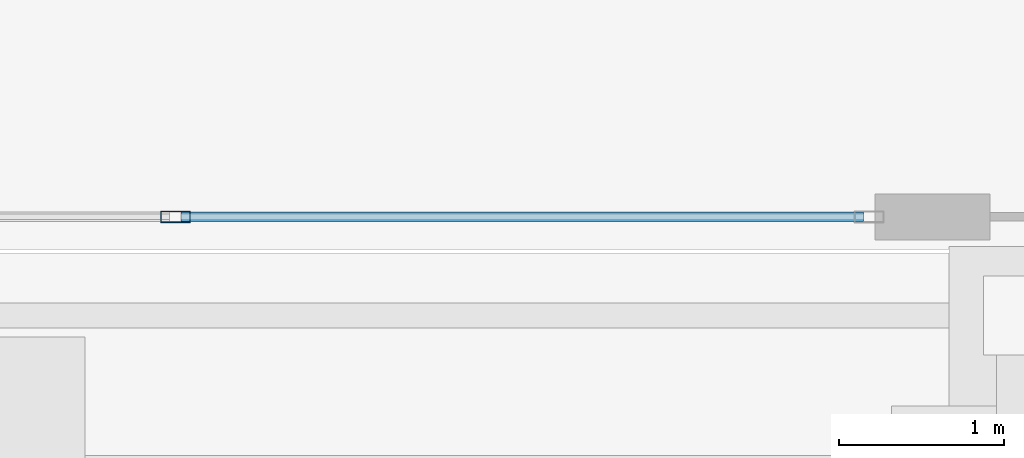
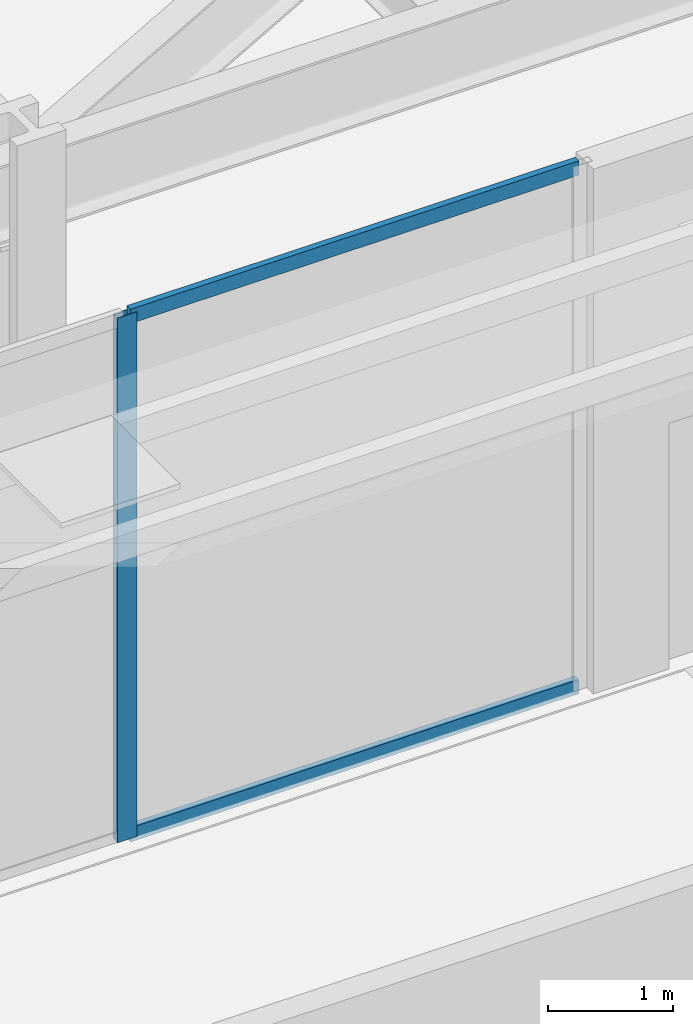
# One storey, part 13 of 31: 3 members, 1 element without a shape of its own.
"""IFC4 building model written with IfcOpenShell, lengths in metres."""

from ifc_helpers import new_model, si_unit, direction, frame, origin, origin_2d, place, context, subcontext, project, spatial, hollow_rectangle, extrude, material, layer, layer_set, material_profile, profile_set, type_object, element, aggregate, save


model = new_model("IFC4")

# Units and contexts
model_context = context("Model", 3, precision=1e-05, world=origin(), true_north=direction((0.0, 1.0)))
body_context = subcontext(model_context, "Body", "Model", "MODEL_VIEW")
ifc_project = project(units=[si_unit("LENGTHUNIT", "METRE"), si_unit("AREAUNIT", "SQUARE_METRE"), si_unit("VOLUMEUNIT", "CUBIC_METRE"), si_unit("PLANEANGLEUNIT", "RADIAN"), si_unit("MASSUNIT", "GRAM", prefix="KILO")], contexts=[model_context])

# Site, building, storey
site_placement = place(None, origin())
site = spatial("IfcSite", under=ifc_project, at=site_placement, CompositionType="ELEMENT")
building_placement = place(site_placement, origin())
building = spatial("IfcBuilding", under=site, at=building_placement, Name="Kravanh Interchange Tower", CompositionType="ELEMENT")
storey_placement = place(building_placement, origin())
storey = spatial("IfcBuildingStorey", under=building, at=storey_placement, Name="L00", CompositionType="ELEMENT", Elevation=0.0)

# Curtain wall, members
ifc_material_1 = material(Name="Anodised Bronze Aluminium", Category="aluminium")
ifc_layer = layer(ifc_material_1, 0.179931640625)
ifc_layer_set = layer_set([ifc_layer], Name="Unitised Curtain Wall System CW-POD Podium Concourse")
curtain_wall_type = type_object("IfcCurtainWallType", Name="Unitised Curtain Wall System CW-POD Podium Concourse", PredefinedType="NOTDEFINED", material=ifc_layer_set)
curtain_wall_placement = place(storey_placement, origin())
curtain_wall = element("IfcCurtainWall", 1, at=curtain_wall_placement, inside=storey, type_object=curtain_wall_type, Name="L00 Unitised Curtain Wall CW-L00-02", PredefinedType="NOTDEFINED")
ifc_material_2 = material(Name="Anodised Bronze Aluminium", Category="aluminium")
ifc_material_profile_1 = material_profile(ifc_material_2, hollow_rectangle(XDim=0.070068359375, YDim=0.179931640625, WallThickness=0.00390625, at=origin_2d()), Name="ALU70X180X4")
ifc_profile_set_1 = profile_set([ifc_material_profile_1], Name="Anodised Bronze Aluminium")
member_type_1 = type_object("IfcMemberType", Name="Curtain Wall Mullion ALU70X180X4 Bronze", PredefinedType="MULLION", material=ifc_profile_set_1)
member_1_placement = place(storey_placement, frame((44.35009765625, 0.199951171875, 0.0), z_axis=(0.0, 0.0, 1.0), x_axis=(0.0, 1.0, 0.0)))
member_1 = element("IfcMember", 2, at=member_1_placement, type_object=member_type_1, Name="CW-POD mullion 2", PredefinedType="MULLION", context=body_context, shape_type="SweptSolid", body=[
    extrude(hollow_rectangle(XDim=0.070068359375, YDim=0.179931640625, WallThickness=0.00390625, at=origin_2d()), origin(), (0.0, 0.0, 1.0), 5.1298828125),
])
ifc_material_3 = material(Name="Anodised Bronze Aluminium", Category="aluminium")
ifc_material_profile_2 = material_profile(ifc_material_3, hollow_rectangle(XDim=0.06005859375, YDim=0.139892578125, WallThickness=0.00390625, at=origin_2d()), Name="ALU60X140X4")
ifc_profile_set_2 = profile_set([ifc_material_profile_2], Name="Anodised Bronze Aluminium")
member_type_2 = type_object("IfcMemberType", Name="Curtain Wall Transom ALU60X140X4 Bronze", PredefinedType="USERDEFINED", material=ifc_profile_set_2)
member_2_placement = place(storey_placement, frame((44.385009765625, 0.199951171875, 0.030029296875), z_axis=(1.0, 0.0, 0.0), x_axis=(0.0, 1.0, 0.0)))
member_2 = element("IfcMember", 3, at=member_2_placement, type_object=member_type_2, Name="CW-POD transom 2.1", ObjectType="TRANSOM", PredefinedType="USERDEFINED", context=body_context, shape_type="SweptSolid", body=[
    extrude(hollow_rectangle(XDim=0.06005859375, YDim=0.139892578125, WallThickness=0.00390625, at=origin_2d()), origin(), (0.0, 0.0, 1.0), 4.14501953125),
])
member_3_placement = place(storey_placement, frame((44.385009765625, 0.199951171875, 5.10009765625), z_axis=(1.0, 0.0, 0.0), x_axis=(0.0, 1.0, 0.0)))
member_3 = element("IfcMember", 4, at=member_3_placement, type_object=member_type_2, Name="CW-POD transom 2.2", ObjectType="TRANSOM", PredefinedType="USERDEFINED", context=body_context, shape_type="SweptSolid", body=[
    extrude(hollow_rectangle(XDim=0.06005859375, YDim=0.139892578125, WallThickness=0.00390625, at=origin_2d()), origin(), (0.0, 0.0, 1.0), 4.14501953125),
])
aggregate(curtain_wall, [member_1, member_2, member_3])

save(model, "model.ifc")
